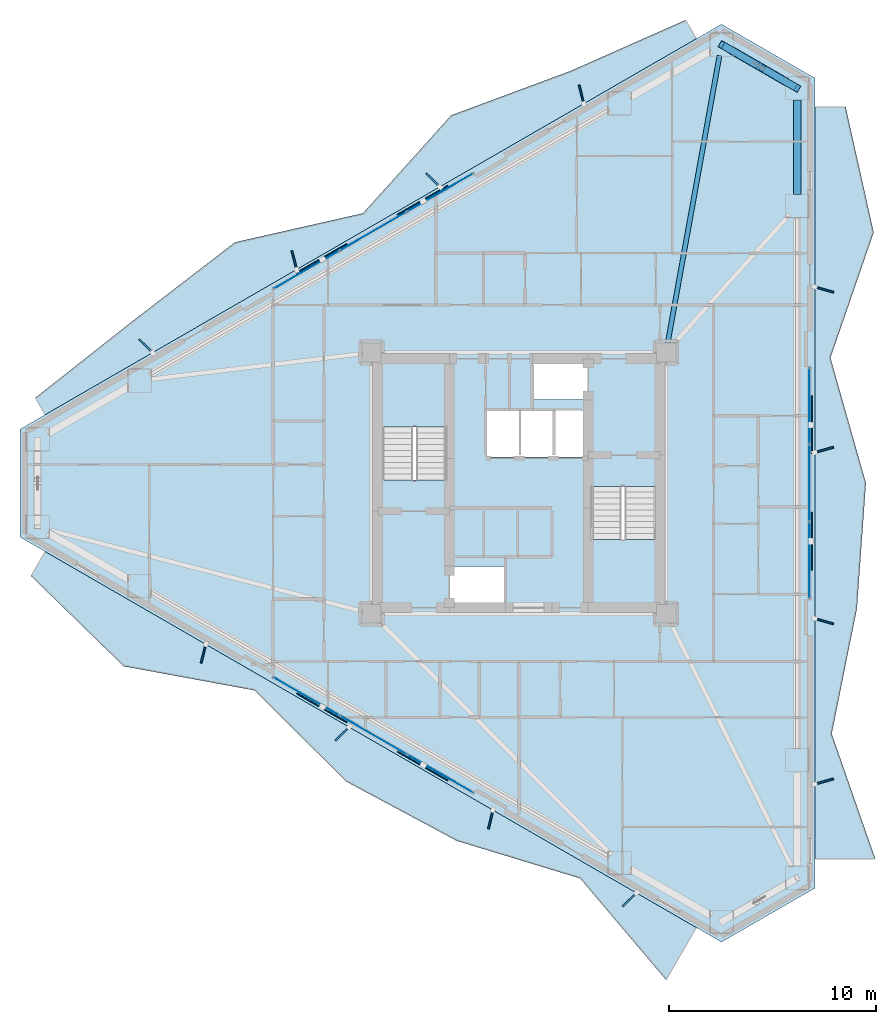
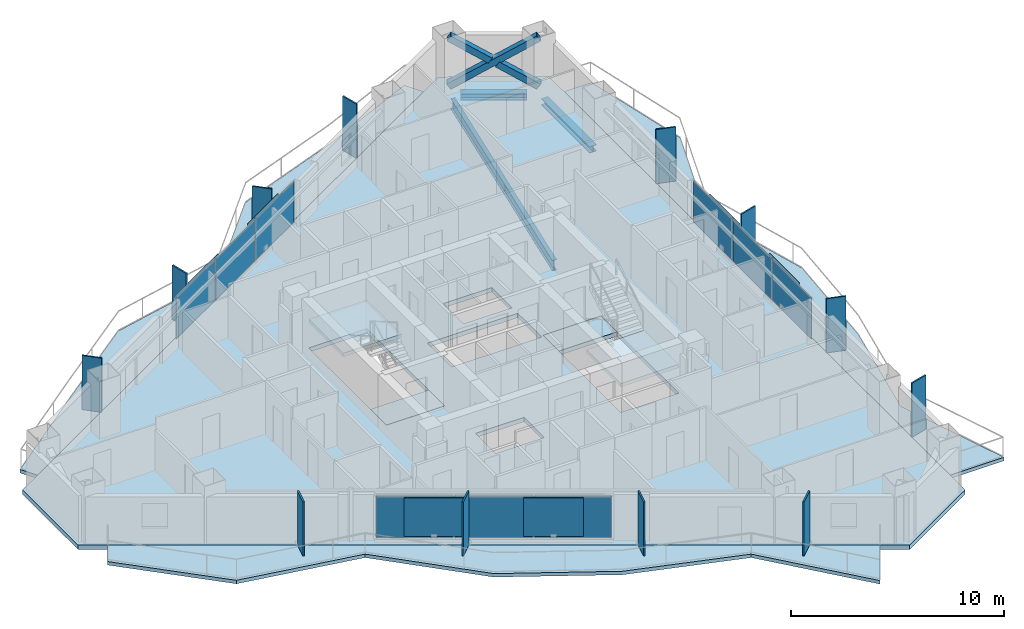
# One storey, part 14 of 23: 27 plates, 8 slabs, 3 beams, 3 members, 5 elements without a shape of their own.
"""IFC4 building model written with IfcOpenShell, lengths in metres."""

from ifc_helpers import new_model, si_unit, direction, frame, origin, origin_2d, place, context, subcontext, project, spatial, polyline, rectangle, hollow_rectangle, i_section, outline, extrude, material, layer, layer_set, material_profile, profile_set, type_object, element, aggregate, save


model = new_model("IFC4")

# Units and contexts
model_context = context("Model", 3, precision=1e-05, world=origin(), true_north=direction((0.0, 1.0)))
body_context = subcontext(model_context, "Body", "Model", "MODEL_VIEW")
ifc_project = project(units=[si_unit("LENGTHUNIT", "METRE"), si_unit("AREAUNIT", "SQUARE_METRE"), si_unit("VOLUMEUNIT", "CUBIC_METRE"), si_unit("PLANEANGLEUNIT", "RADIAN"), si_unit("MASSUNIT", "GRAM", prefix="KILO")], contexts=[model_context])

# Site, building, storey
site_placement = place(None, origin())
site = spatial("IfcSite", under=ifc_project, at=site_placement, CompositionType="ELEMENT")
building_placement = place(site_placement, origin())
building = spatial("IfcBuilding", under=site, at=building_placement, Name="Mersakhor Tower and Convention Hall", CompositionType="ELEMENT")
storey_placement = place(building_placement, frame((0.0, 0.0, 80.10009765625)))
storey = spatial("IfcBuildingStorey", under=building, at=storey_placement, Name="L21", CompositionType="ELEMENT", Elevation=80.10009765625)

# Beams
ifc_material_1 = material(Name="Steel S355", Category="steel")
ifc_material_profile_1 = material_profile(ifc_material_1, i_section(OverallWidth=0.22900390625, OverallDepth=0.6123046875, WebThickness=0.011962890625, FlangeThickness=0.01953125, at=origin_2d()), Name="UB 610x229x125")
ifc_profile_set_1 = profile_set([ifc_material_profile_1], Name="Steel S355")
beam_type_1 = type_object("IfcBeamType", Name="BM-PR-610", PredefinedType="BEAM", material=ifc_profile_set_1)
beam_1_placement = place(storey_placement, frame((36.17626953125, 33.47314453125, -0.55615234375), z_axis=(0.177414716723, 0.984136178732, 0.0), x_axis=(-0.984136178732, 0.177414716723, 0.0)))
element("IfcBeam", 1, at=beam_1_placement, inside=storey, type_object=beam_type_1, Name="L21 Primary Floor Girder FG-2", PredefinedType="BEAM", context=body_context, shape_type="SweptSolid", body=[
    extrude(i_section(OverallWidth=0.22900390625, OverallDepth=0.6123046875, WebThickness=0.011962890625, FlangeThickness=0.01953125, at=origin_2d()), origin(), (0.0, 0.0, 1.0), 14.11328125),
])
ifc_material_2 = material(Name="Steel S355", Category="steel")
ifc_material_profile_2 = material_profile(ifc_material_2, i_section(OverallWidth=0.374755859375, OverallDepth=0.37451171875, WebThickness=0.0166015625, FlangeThickness=0.027099609375, at=origin_2d()), Name="UC 356x368x202")
ifc_profile_set_2 = profile_set([ifc_material_profile_2], Name="Steel S355")
beam_type_2 = type_object("IfcBeamType", Name="BM-SPD-UC356", PredefinedType="SPANDREL", material=ifc_profile_set_2)
beam_2_placement = place(storey_placement, frame((39.25927734375, 47.631103515625, -0.4375), z_axis=(0.866052319632, -0.499953377486, 0.0), x_axis=(0.499953377486, 0.866052319632, 0.0)))
element("IfcBeam", 2, at=beam_2_placement, inside=storey, type_object=beam_type_2, Name="L21 Perimeter Spandrel Beam SPB-04", PredefinedType="SPANDREL", context=body_context, shape_type="SweptSolid", body=[
    extrude(i_section(OverallWidth=0.374755859375, OverallDepth=0.37451171875, WebThickness=0.0166015625, FlangeThickness=0.027099609375, at=origin_2d()), origin(), (0.0, 0.0, 1.0), 3.111572265625),
])
beam_3_placement = place(storey_placement, frame((42.4345703125, 45.242919921875, -0.4375), z_axis=(0.0, -1.0, 0.0), x_axis=(1.0, 0.0, 0.0)))
element("IfcBeam", 3, at=beam_3_placement, inside=storey, type_object=beam_type_2, Name="L21 Perimeter Spandrel Beam SPB-05", PredefinedType="SPANDREL", context=body_context, shape_type="SweptSolid", body=[
    extrude(i_section(OverallWidth=0.374755859375, OverallDepth=0.37451171875, WebThickness=0.0166015625, FlangeThickness=0.027099609375, at=origin_2d()), origin(), (0.0, 0.0, 1.0), 4.566162109375),
])

# Members
ifc_material_3 = material(Name="Steel S460", Category="steel")
ifc_material_profile_3 = material_profile(ifc_material_3, hollow_rectangle(XDim=0.35009765625, YDim=0.35009765625, WallThickness=0.02001953125, at=origin_2d()), Name="SHS 350x350x20")
ifc_profile_set_3 = profile_set([ifc_material_profile_3], Name="Steel S460")
member_type = type_object("IfcMemberType", Name="MB-BRC-SHS350", PredefinedType="BRACE", material=ifc_profile_set_3)
member_placement = place(storey_placement, frame((38.77880859375, 47.90869140625, 0.14990234375), z_axis=(0.725633725484, -0.418933054415, 0.545848689986), x_axis=(0.49998946241, 0.866031487579, 0.0)))
element("IfcMember", 4, at=member_placement, inside=storey, type_object=member_type, Name="L21 Chamfer Braced Frame Diagonal CB-1A", PredefinedType="BRACE", context=body_context, shape_type="SweptSolid", body=[
    extrude(hollow_rectangle(XDim=0.35009765625, YDim=0.35009765625, WallThickness=0.02001953125, at=origin_2d()), origin(), (0.0, 0.0, 1.0), 5.0380859375),
])
for number, where, z_axis, x_axis, name in (
    (5, (42.4345703125, 45.798095703125, 0.14990234375), (-0.725684866011, 0.418886985747, 0.545816057307), (-0.499921796684, -0.866070549782, 0.0), "L21 Chamfer Braced Frame Diagonal CB-1B Lower Half"),
    (6, (40.4619140625, 46.93701171875, 1.6337890625), (-0.725635037856, 0.418918980369, 0.545857746783), (-0.499976186015, -0.866039152359, 0.0), "L21 Chamfer Braced Frame Diagonal CB-1B Upper Half"),
):
    element("IfcMember", number, at=place(storey_placement, frame(where, z_axis=z_axis, x_axis=x_axis)), inside=storey, type_object=member_type, Name=name, PredefinedType="BRACE", context=body_context, shape_type="SweptSolid", body=[
        extrude(hollow_rectangle(XDim=0.35009765625, YDim=0.35009765625, WallThickness=0.02001953125, at=origin_2d()), origin(), (0.0, 0.0, 1.0), 2.319580078125),
    ])

# Curtain wall, plates
ifc_material_4 = material(Name="Dark solar low-E aluminium curtain wall", Category="aluminium")
ifc_layer_1 = layer(ifc_material_4, 0.159912109375)
ifc_layer_set_1 = layer_set([ifc_layer_1], Name="Dark solar low-E aluminium curtain wall")
curtain_wall_type = type_object("IfcCurtainWallType", Name="CW-SYS-01", PredefinedType="USERDEFINED", material=ifc_layer_set_1)
curtain_wall_1_placement = place(storey_placement, origin())
curtain_wall_1 = element("IfcCurtainWall", 7, at=curtain_wall_1_placement, inside=storey, type_object=curtain_wall_type, Name="L21 Dark-Glass Curtain Wall F1-B2", ObjectType="CURTAIN WALL", PredefinedType="USERDEFINED")
ifc_material_5 = material(Name="Dark solar double glazing", Category="glass")
ifc_layer_2 = layer(ifc_material_5, 0.02392578125)
ifc_layer_set_2 = layer_set([ifc_layer_2], Name="Dark solar double glazing")
plate_type_1 = type_object("IfcPlateType", Name="CWP-GLZ-24", PredefinedType="CURTAIN_PANEL", material=ifc_layer_set_2)
plate_1_placement = place(storey_placement, frame((18.75732421875, 37.042236328125, 0.259765625), z_axis=(0.0, 0.0, 1.0), x_axis=(0.866026613339, 0.499997904985, 0.0)))
plate_1 = element("IfcPlate", 8, at=plate_1_placement, type_object=plate_type_1, Name="CW-01 panel 1.1", PredefinedType="CURTAIN_PANEL", context=body_context, shape_type="SweptSolid", body=[
    extrude(rectangle(XDim=3.630615234375, YDim=0.02392578125, at=origin_2d()), origin(), (0.0, 0.0, 1.0), 2.35009765625),
])
plate_2_placement = place(storey_placement, frame((21.982666015625, 38.904296875, 0.259765625), z_axis=(0.0, 0.0, 1.0), x_axis=(0.866026613339, 0.499997904985, 0.0)))
plate_2 = element("IfcPlate", 9, at=plate_2_placement, type_object=plate_type_1, Name="CW-01 panel 2.1", PredefinedType="CURTAIN_PANEL", context=body_context, shape_type="SweptSolid", body=[
    extrude(rectangle(XDim=3.668212890625, YDim=0.02392578125, at=origin_2d()), origin(), (0.0, 0.0, 1.0), 2.35009765625),
])
plate_3_placement = place(storey_placement, frame((25.2080078125, 40.7666015625, 0.259765625), z_axis=(0.0, 0.0, 1.0), x_axis=(0.866026613339, 0.499997904985, 0.0)))
plate_3 = element("IfcPlate", 10, at=plate_3_placement, type_object=plate_type_1, Name="CW-01 panel 3.1", PredefinedType="CURTAIN_PANEL", context=body_context, shape_type="SweptSolid", body=[
    extrude(rectangle(XDim=3.630615234375, YDim=0.02392578125, at=origin_2d()), origin(), (0.0, 0.0, 1.0), 2.35009765625),
])
aggregate(curtain_wall_1, [plate_1, plate_2, plate_3])

curtain_wall_2_placement = place(storey_placement, origin())
curtain_wall_2 = element("IfcCurtainWall", 11, at=curtain_wall_2_placement, inside=storey, type_object=curtain_wall_type, Name="L21 Dark-Glass Curtain Wall F2-B2", ObjectType="CURTAIN WALL", PredefinedType="USERDEFINED")
plate_4_placement = place(storey_placement, frame((43.03466796875, 30.474365234375, 0.259765625), z_axis=(0.0, 0.0, 1.0), x_axis=(0.0, -1.0, 0.0)))
plate_4 = element("IfcPlate", 12, at=plate_4_placement, type_object=plate_type_1, Name="CW-01 panel 1.1", PredefinedType="CURTAIN_PANEL", context=body_context, shape_type="SweptSolid", body=[
    extrude(rectangle(XDim=3.630615234375, YDim=0.02392578125, at=origin_2d()), origin(), (0.0, 0.0, 1.0), 2.35009765625),
])
plate_5_placement = place(storey_placement, frame((43.03466796875, 26.75, 0.259765625), z_axis=(0.0, 0.0, 1.0), x_axis=(0.0, -1.0, 0.0)))
plate_5 = element("IfcPlate", 13, at=plate_5_placement, type_object=plate_type_1, Name="CW-01 panel 2.1", PredefinedType="CURTAIN_PANEL", context=body_context, shape_type="SweptSolid", body=[
    extrude(rectangle(XDim=3.668212890625, YDim=0.02392578125, at=origin_2d()), origin(), (0.0, 0.0, 1.0), 2.35009765625),
])
plate_6_placement = place(storey_placement, frame((43.03466796875, 23.025634765625, 0.259765625), z_axis=(0.0, 0.0, 1.0), x_axis=(0.0, -1.0, 0.0)))
plate_6 = element("IfcPlate", 14, at=plate_6_placement, type_object=plate_type_1, Name="CW-01 panel 3.1", PredefinedType="CURTAIN_PANEL", context=body_context, shape_type="SweptSolid", body=[
    extrude(rectangle(XDim=3.630615234375, YDim=0.02392578125, at=origin_2d()), origin(), (0.0, 0.0, 1.0), 2.35009765625),
])
aggregate(curtain_wall_2, [plate_4, plate_5, plate_6])

curtain_wall_3_placement = place(storey_placement, origin())
curtain_wall_3 = element("IfcCurtainWall", 15, at=curtain_wall_3_placement, inside=storey, type_object=curtain_wall_type, Name="L21 Dark-Glass Curtain Wall F3-B2", ObjectType="CURTAIN WALL", PredefinedType="USERDEFINED")
plate_7_placement = place(storey_placement, frame((25.2080078125, 12.7333984375, 0.259765625), z_axis=(0.0, 0.0, 1.0), x_axis=(-0.866026613339, 0.499997904985, 0.0)))
plate_7 = element("IfcPlate", 16, at=plate_7_placement, type_object=plate_type_1, Name="CW-01 panel 1.1", PredefinedType="CURTAIN_PANEL", context=body_context, shape_type="SweptSolid", body=[
    extrude(rectangle(XDim=3.630615234375, YDim=0.02392578125, at=origin_2d()), origin(), (0.0, 0.0, 1.0), 2.35009765625),
])
plate_8_placement = place(storey_placement, frame((21.982666015625, 14.595703125, 0.259765625), z_axis=(0.0, 0.0, 1.0), x_axis=(-0.866026613339, 0.499997904985, 0.0)))
plate_8 = element("IfcPlate", 17, at=plate_8_placement, type_object=plate_type_1, Name="CW-01 panel 2.1", PredefinedType="CURTAIN_PANEL", context=body_context, shape_type="SweptSolid", body=[
    extrude(rectangle(XDim=3.668212890625, YDim=0.02392578125, at=origin_2d()), origin(), (0.0, 0.0, 1.0), 2.35009765625),
])
plate_9_placement = place(storey_placement, frame((18.75732421875, 16.457763671875, 0.259765625), z_axis=(0.0, 0.0, 1.0), x_axis=(-0.866026613339, 0.499997904985, 0.0)))
plate_9 = element("IfcPlate", 18, at=plate_9_placement, type_object=plate_type_1, Name="CW-01 panel 3.1", PredefinedType="CURTAIN_PANEL", context=body_context, shape_type="SweptSolid", body=[
    extrude(rectangle(XDim=3.630615234375, YDim=0.02392578125, at=origin_2d()), origin(), (0.0, 0.0, 1.0), 2.35009765625),
])
aggregate(curtain_wall_3, [plate_7, plate_8, plate_9])

# Plates
ifc_material_6 = material(Name="Ceramic-clad aluminium Zone 2 emerald-teal", Category="aluminium")
ifc_material_7 = material(Name="Ceramic-clad aluminium Zone 1 cobalt-slate", Category="masonry")
ifc_layer_3 = layer(ifc_material_7, 0.080078125)
ifc_layer_set_3 = layer_set([ifc_layer_3], Name="Ceramic-clad aluminium Zone 1 cobalt-slate")
plate_type_2 = type_object("IfcPlateType", Name="PL-FIN-80", PredefinedType="USERDEFINED", material=ifc_layer_set_3)
for number, where, z_axis, x_axis, name in (
    (19, (11.013671875, 33.364013671875, -0.000244140625), (0.0, 0.0, 1.0), (-0.719339800339, 0.694658370459, 0.0), "L21 Zone 2 Coloured Brise-Soleil Fin F1-1"),
    (20, (18.168701171875, 37.4951171875, -0.000244140625), (0.0, 0.0, 1.0), (-0.2419218956, 0.970295726276, 0.0), "L21 Zone 2 Coloured Brise-Soleil Fin F1-2"),
    (21, (24.8701171875, 41.364013671875, -0.000244140625), (0.0, 0.0, 1.0), (-0.719339800339, 0.694658370459, 0.0), "L21 Zone 2 Coloured Brise-Soleil Fin F1-3"),
    (22, (32.02490234375, 45.4951171875, -0.000244140625), (0.0, 0.0, 1.0), (-0.2419218956, 0.970295726276, 0.0), "L21 Zone 2 Coloured Brise-Soleil Fin F1-4"),
    (23, (43.72119140625, 36.091064453125, -0.000244140625), (0.0, 0.0, 1.0), (0.961261695938, -0.275637355817, 0.0), "L21 Zone 2 Coloured Brise-Soleil Fin F2-1"),
    (24, (43.72119140625, 28.35302734375, -0.000244140625), (0.0, 0.0, 1.0), (0.961261695938, 0.275637355817, 0.0), "L21 Zone 2 Coloured Brise-Soleil Fin F2-2"),
    (25, (43.72119140625, 20.091064453125, -0.000244140625), (0.0, 0.0, 1.0), (0.961261695938, -0.275637355817, 0.0), "L21 Zone 2 Coloured Brise-Soleil Fin F2-3"),
    (26, (43.72119140625, 12.35302734375, -0.000244140625), (0.0, 0.0, 1.0), (0.961261695938, 0.275637355817, 0.0), "L21 Zone 2 Coloured Brise-Soleil Fin F2-4"),
    (27, (34.347900390625, 6.663818359375, -0.000244140625), (0.0, 0.0, 1.0), (-0.719339800339, -0.694658370459, 0.0), "L21 Zone 2 Coloured Brise-Soleil Fin F3-1"),
    (28, (27.646484375, 10.532958984375, -0.000244140625), (0.0, 0.0, 1.0), (-0.2419218956, -0.970295726276, 0.0), "L21 Zone 2 Coloured Brise-Soleil Fin F3-2"),
    (29, (20.491455078125, 14.663818359375, -0.000244140625), (0.0, 0.0, 1.0), (-0.719339800339, -0.694658370459, 0.0), "L21 Zone 2 Coloured Brise-Soleil Fin F3-3"),
    (30, (13.7900390625, 18.532958984375, -0.000244140625), (0.0, 0.0, 1.0), (-0.2419218956, -0.970295726276, 0.0), "L21 Zone 2 Coloured Brise-Soleil Fin F3-4"),
):
    element("IfcPlate", number, at=place(storey_placement, frame(where, z_axis=z_axis, x_axis=x_axis)), inside=storey, type_object=plate_type_2, material=ifc_material_6, Name=name, ObjectType="FIN", PredefinedType="USERDEFINED", context=body_context, shape_type="SweptSolid", body=[
        extrude(rectangle(XDim=0.949951171875, YDim=0.080078125, at=origin_2d()), origin(), (0.0, 0.0, 1.0), 3.10009765625),
    ])
ifc_material_8 = material(Name="Perforated ceramic cobogo solar screen", Category="aluminium")
ifc_layer_4 = layer(ifc_material_8, 0.055908203125)
ifc_layer_set_4 = layer_set([ifc_layer_4], Name="Perforated ceramic cobogo solar screen")
plate_type_3 = type_object("IfcPlateType", Name="PL-SCR-56", PredefinedType="USERDEFINED", material=ifc_layer_set_4)
for number, where, z_axis, x_axis, name in (
    (31, (19.50244140625, 37.58544921875, 0.39990234375), (0.0, 0.0, 1.0), (0.866025403784, 0.5, 0.0), "L21 Perforated Ceramic Solar Screen F1-1"),
    (32, (24.364990234375, 40.392822265625, 0.39990234375), (0.0, 0.0, 1.0), (0.866025403784, 0.5, 0.0), "L21 Perforated Ceramic Solar Screen F1-2"),
    (33, (43.132568359375, 29.557373046875, 0.39990234375), (0.0, 0.0, 1.0), (0.0, -1.0, 0.0), "L21 Perforated Ceramic Solar Screen F2-1"),
    (34, (43.132568359375, 23.942626953125, 0.39990234375), (0.0, 0.0, 1.0), (0.0, -1.0, 0.0), "L21 Perforated Ceramic Solar Screen F2-2"),
    (35, (24.364990234375, 13.107177734375, 0.39990234375), (0.0, 0.0, 1.0), (-0.866025403784, 0.5, 0.0), "L21 Perforated Ceramic Solar Screen F3-1"),
    (36, (19.50244140625, 15.91455078125, 0.39990234375), (0.0, 0.0, 1.0), (-0.866025403784, 0.5, 0.0), "L21 Perforated Ceramic Solar Screen F3-2"),
):
    element("IfcPlate", number, at=place(storey_placement, frame(where, z_axis=z_axis, x_axis=x_axis)), inside=storey, type_object=plate_type_3, Name=name, ObjectType="SCREEN", PredefinedType="USERDEFINED", context=body_context, shape_type="SweptSolid", body=[
        extrude(rectangle(XDim=2.800048828125, YDim=0.055908203125, at=origin_2d()), origin(), (0.0, 0.0, 1.0), 2.219970703125),
    ])

# Slabs
ifc_material_9 = material(Name="Concrete C45/55", Category="concrete")
ifc_layer_5 = layer(ifc_material_9, 0.199951171875)
ifc_layer_set_5 = layer_set([ifc_layer_5], Name="Concrete C45/55")
slab_type_1 = type_object("IfcSlabType", Name="SL-BAL-200", PredefinedType="FLOOR", material=ifc_layer_set_5)
slab_1_placement = place(storey_placement, frame((0.0, 0.0, -0.2001953125)))
element("IfcSlab", 37, at=slab_1_placement, inside=storey, type_object=slab_type_1, Name="L21 Sinusoidal Balcony Slab Face 1", PredefinedType="FLOOR", context=body_context, shape_type="SweptSolid", body=[
    extrude(outline(polyline([(6.149169921875, 30.051513671875), (37.56640625, 48.190185546875), (37.044921875, 49.093017578125), (31.48486328125, 46.630859375), (25.736083984375, 44.49560546875), (21.482666015625, 39.7705078125), (15.3095703125, 38.3701171875), (10.474365234375, 34.652587890625), (5.677001953125, 30.869384765625), (6.149169921875, 30.051513671875)])), origin(), (0.0, 0.0, 1.0), 0.2001953125),
])
slab_2_placement = place(storey_placement, frame((0.0, 0.0, -0.2001953125)))
element("IfcSlab", 38, at=slab_2_placement, inside=storey, type_object=slab_type_1, Name="L21 Sinusoidal Balcony Slab Face 2", PredefinedType="FLOOR", context=body_context, shape_type="SweptSolid", body=[
    extrude(outline(polyline([(43.28466796875, 44.888671875), (43.28466796875, 8.611328125), (46.20458984375, 8.611328125), (44.095947265625, 14.657470703125), (45.31201171875, 20.703857421875), (45.745849609375, 26.75), (44.03466796875, 32.796142578125), (46.121337890625, 38.842529296875), (44.771484375, 44.888671875), (43.28466796875, 44.888671875)])), origin(), (0.0, 0.0, 1.0), 0.2001953125),
])
slab_3_placement = place(storey_placement, frame((0.0, 0.0, -0.2001953125)))
element("IfcSlab", 39, at=slab_3_placement, inside=storey, type_object=slab_type_1, Name="L21 Sinusoidal Balcony Slab Face 3", PredefinedType="FLOOR", context=body_context, shape_type="SweptSolid", body=[
    extrude(outline(polyline([(37.56640625, 5.309814453125), (6.149169921875, 23.448486328125), (5.46826171875, 22.269287109375), (9.93603515625, 17.915283203125), (16.24658203125, 16.752685546875), (20.68408203125, 12.346435546875), (26.01611328125, 9.489501953125), (31.955078125, 7.683349609375), (36.106201171875, 2.781005859375), (37.56640625, 5.309814453125)])), origin(), (0.0, 0.0, 1.0), 0.2001953125),
])
ifc_material_10 = material(Name="Concrete C40/50", Category="concrete")
ifc_layer_6 = layer(ifc_material_10, 0.25)
ifc_layer_set_6 = layer_set([ifc_layer_6], Name="Concrete C40/50")
slab_type_2 = type_object("IfcSlabType", Name="SL-FLR-250", PredefinedType="FLOOR", material=ifc_layer_set_6)
slab_4_placement = place(storey_placement, frame((0.0, 0.0, -0.25)))
element("IfcSlab", 40, at=slab_4_placement, inside=storey, type_object=slab_type_2, Name="L21 ST-1 Structural Stair Floor Landing", PredefinedType="LANDING", context=body_context, shape_type="SweptSolid", body=[
    extrude(outline(polyline([(25.550048828125, 25.39990234375), (25.550048828125, 26.89990234375), (22.39990234375, 26.89990234375), (22.39990234375, 25.39990234375), (25.550048828125, 25.39990234375)])), origin(), (0.0, 0.0, 1.0), 0.25),
])
slab_5_placement = place(storey_placement, frame((0.0, 0.0, -0.25)))
element("IfcSlab", 41, at=slab_5_placement, inside=storey, type_object=slab_type_2, Name="L21 ST-2 Structural Stair Floor Landing", PredefinedType="LANDING", context=body_context, shape_type="SweptSolid", body=[
    extrude(outline(polyline([(32.449951171875, 28.10009765625), (32.449951171875, 26.60009765625), (35.60009765625, 26.60009765625), (35.60009765625, 28.10009765625), (32.449951171875, 28.10009765625)])), origin(), (0.0, 0.0, 1.0), 0.25),
])
slab_6_placement = place(storey_placement, frame((0.0, 0.0, -0.25)))
element("IfcSlab", 42, at=slab_6_placement, inside=storey, type_object=slab_type_2, Name="Tower L21 Structural Floor Slab", PredefinedType="FLOOR", context=body_context, shape_type="SweptSolid", body=[
    extrude(outline(polyline([(4.936767578125, 29.3515625), (38.77880859375, 48.89013671875), (43.28466796875, 46.288818359375), (43.28466796875, 7.211181640625), (38.77880859375, 4.60986328125), (4.936767578125, 24.1484375), (4.936767578125, 29.3515625)]), holes=[polyline([(25.550048828125, 25.39990234375), (25.550048828125, 32.699951171875), (22.39990234375, 32.699951171875), (22.39990234375, 25.39990234375), (25.550048828125, 25.39990234375)]), polyline([(32.449951171875, 28.10009765625), (32.449951171875, 20.800048828125), (35.60009765625, 20.800048828125), (35.60009765625, 28.10009765625), (32.449951171875, 28.10009765625)]), polyline([(25.679931640625, 20.820068359375), (25.679931640625, 22.719970703125), (28.320068359375, 22.719970703125), (28.320068359375, 20.820068359375), (25.679931640625, 20.820068359375)]), polyline([(29.679931640625, 30.780029296875), (29.679931640625, 32.679931640625), (32.320068359375, 32.679931640625), (32.320068359375, 30.780029296875), (29.679931640625, 30.780029296875)]), polyline([(27.429931640625, 28.0), (27.429931640625, 30.25), (32.320068359375, 30.25), (32.320068359375, 28.0), (27.429931640625, 28.0)])]), origin(), (0.0, 0.0, 1.0), 0.25),
])

# Stair, slab
ifc_material_11 = material(Name="Concrete C45/55", Category="concrete")
stair_type = type_object("IfcStairType", Name="ST-TWR-20R", PredefinedType="HALF_TURN_STAIR", material=ifc_material_11)
stair_1_placement = place(storey_placement, origin())
stair_1 = element("IfcStair", 43, at=stair_1_placement, inside=storey, type_object=stair_type, Name="L21 Tower Protected Exit Stair ST-1", PredefinedType="HALF_TURN_STAIR")
ifc_material_12 = material(Name="Concrete C45/55", Category="concrete")
ifc_layer_7 = layer(ifc_material_12, 0.199951171875)
ifc_layer_set_7 = layer_set([ifc_layer_7], Name="Concrete C45/55")
slab_type_3 = type_object("IfcSlabType", Name="SL-LAND-200", PredefinedType="LANDING", material=ifc_layer_set_7)
slab_7_placement = place(storey_placement, frame((0.0, 0.0, 1.449951171875)))
slab_7 = element("IfcSlab", 44, at=slab_7_placement, type_object=slab_type_3, Name="ST-1 landing 1", PredefinedType="LANDING", context=body_context, shape_type="SweptSolid", body=[
    extrude(outline(polyline([(25.550048828125, 29.465087890625), (25.550048828125, 32.699951171875), (22.39990234375, 32.699951171875), (22.39990234375, 29.465087890625), (25.550048828125, 29.465087890625)])), origin(), (0.0, 0.0, 1.0), 0.199951171875),
])
aggregate(stair_1, [slab_7])

stair_2_placement = place(storey_placement, origin())
stair_2 = element("IfcStair", 45, at=stair_2_placement, inside=storey, type_object=stair_type, Name="L21 Tower Protected Exit Stair ST-2", PredefinedType="HALF_TURN_STAIR")
slab_8_placement = place(storey_placement, frame((0.0, 0.0, 1.449951171875)))
slab_8 = element("IfcSlab", 46, at=slab_8_placement, type_object=slab_type_3, Name="ST-2 landing 1", PredefinedType="LANDING", context=body_context, shape_type="SweptSolid", body=[
    extrude(outline(polyline([(32.449951171875, 24.034912109375), (32.449951171875, 20.800048828125), (35.60009765625, 20.800048828125), (35.60009765625, 24.034912109375), (32.449951171875, 24.034912109375)])), origin(), (0.0, 0.0, 1.0), 0.199951171875),
])
aggregate(stair_2, [slab_8])

save(model, "model.ifc")
